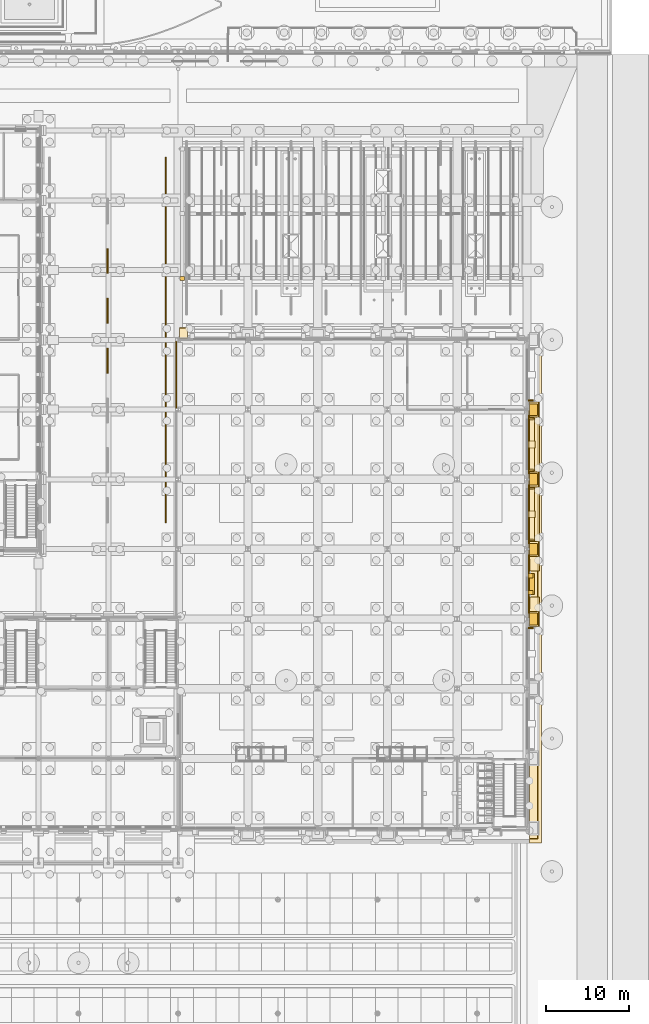
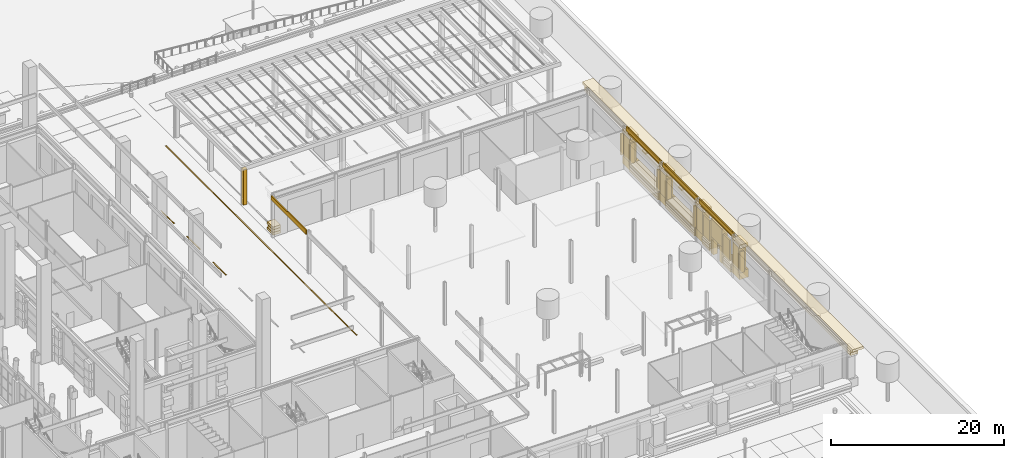
# One storey, part 167 of 222: 59 coverings.
"""IFC4 building model written with IfcOpenShell, lengths in metres."""

from ifc_helpers import new_model, si_unit, direction, frame, origin, origin_2d, place, context, subcontext, project, spatial, polyline, rectangle, outline, extrude, material, layer, layer_set, type_object, element, save


model = new_model("IFC4")

# Units and contexts
model_context = context("Model", 3, precision=1e-05, world=origin(), true_north=direction((0.0, 1.0)))
body_context = subcontext(model_context, "Body", "Model", "MODEL_VIEW")
ifc_project = project(units=[si_unit("LENGTHUNIT", "METRE"), si_unit("AREAUNIT", "SQUARE_METRE"), si_unit("VOLUMEUNIT", "CUBIC_METRE"), si_unit("PLANEANGLEUNIT", "RADIAN"), si_unit("MASSUNIT", "GRAM", prefix="KILO")], contexts=[model_context])

# Site, building, storey
site_placement = place(None, origin())
site = spatial("IfcSite", under=ifc_project, at=site_placement, CompositionType="ELEMENT")
building_placement = place(site_placement, origin())
building = spatial("IfcBuilding", under=site, at=building_placement, Name="Sava Quay Ferry Terminal", CompositionType="ELEMENT")
storey_placement = place(building_placement, origin())
storey = spatial("IfcBuildingStorey", under=building, at=storey_placement, Name="L00", CompositionType="ELEMENT", Elevation=0.0)

# Coverings
ifc_material_1 = material(Name="Steel S355", Category="steel")
ifc_layer_1 = layer(ifc_material_1, 0.5)
ifc_layer_set_1 = layer_set([ifc_layer_1], Name="Steel S355")
covering_type_1 = type_object("IfcCoveringType", Name="Apron canopy post 500", PredefinedType="CLADDING", material=ifc_layer_set_1)
covering_1_placement = place(storey_placement, origin())
element("IfcCovering", 1, at=covering_1_placement, inside=storey, type_object=covering_type_1, Name="Apron canopy post", PredefinedType="CLADDING", context=body_context, shape_type="SweptSolid", body=[
    extrude(outline(polyline([(126.75, 91.14990234375), (126.75, 91.64990234375), (126.25, 91.64990234375), (126.25, 91.14990234375), (126.75, 91.14990234375)])), origin(), (0.0, 0.0, 1.0), 5.0),
])
ifc_material_2 = material(Name="Limestone Mutalj", Category="masonry")
ifc_layer_2 = layer(ifc_material_2, 1.0)
ifc_layer_set_2 = layer_set([ifc_layer_2], Name="Limestone Mutalj")
covering_type_2 = type_object("IfcCoveringType", Name="Architrave 1000", PredefinedType="MOLDING", material=ifc_layer_set_2)
covering_2_placement = place(storey_placement, frame((168.800048828125, 54.60009765625, 4.900146484375), z_axis=(0.0, 0.0, 1.0), x_axis=(1.0, 0.0, 0.0)))
element("IfcCovering", 2, at=covering_2_placement, inside=storey, type_object=covering_type_2, Name="Architrave", PredefinedType="MOLDING", context=body_context, shape_type="SweptSolid", body=[
    extrude(rectangle(XDim=1.0, YDim=61.419921875, at=origin_2d()), origin(), (0.0, 0.0, 1.0), 0.39990234375),
])
ifc_material_3 = material(Name="Limestone Mutalj", Category="masonry")
ifc_layer_3 = layer(ifc_material_3, 1.449951171875)
ifc_layer_set_3 = layer_set([ifc_layer_3], Name="Limestone Mutalj")
covering_type_3 = type_object("IfcCoveringType", Name="Cornice 1450", PredefinedType="MOLDING", material=ifc_layer_set_3)
covering_3_placement = place(storey_placement, frame((169.02490234375, 54.60009765625, 5.64990234375), z_axis=(0.0, 0.0, 1.0), x_axis=(1.0, 0.0, 0.0)))
element("IfcCovering", 3, at=covering_3_placement, inside=storey, type_object=covering_type_3, Name="Cornice", PredefinedType="MOLDING", context=body_context, shape_type="SweptSolid", body=[
    extrude(rectangle(XDim=1.449951171875, YDim=62.320068359375, at=origin_2d()), origin(), (0.0, 0.0, 1.0), 0.35009765625),
])
ifc_material_4 = material(Name="Limestone Mutalj", Category="masonry")
ifc_layer_4 = layer(ifc_material_4, 0.949951171875)
ifc_layer_set_4 = layer_set([ifc_layer_4], Name="Limestone Mutalj")
covering_type_4 = type_object("IfcCoveringType", Name="Frieze 950", PredefinedType="MOLDING", material=ifc_layer_set_4)
covering_4_placement = place(storey_placement, frame((168.77490234375, 54.60009765625, 5.300048828125), z_axis=(0.0, 0.0, 1.0), x_axis=(1.0, 0.0, 0.0)))
element("IfcCovering", 4, at=covering_4_placement, inside=storey, type_object=covering_type_4, Name="Frieze", PredefinedType="MOLDING", context=body_context, shape_type="SweptSolid", body=[
    extrude(rectangle(XDim=0.949951171875, YDim=61.320068359375, at=origin_2d()), origin(), (0.0, 0.0, 1.0), 0.35009765625),
])
ifc_material_5 = material(Name="Red sandstone Vrsac", Category="masonry")
ifc_layer_5 = layer(ifc_material_5, 1.35009765625)
ifc_layer_set_5 = layer_set([ifc_layer_5], Name="Red sandstone Vrsac")
covering_type_5 = type_object("IfcCoveringType", Name="Giant order base course 1350", PredefinedType="MOLDING", material=ifc_layer_set_5)
covering_5_placement = place(storey_placement, frame((168.824951171875, 52.175048828125, 0.06005859375), z_axis=(0.0, 0.0, 1.0), x_axis=(1.0, 0.0, 0.0)))
element("IfcCovering", 5, at=covering_5_placement, inside=storey, type_object=covering_type_5, Name="Rusticated base course", PredefinedType="MOLDING", context=body_context, shape_type="SweptSolid", body=[
    extrude(rectangle(XDim=1.35009765625, YDim=1.75, at=origin_2d()), origin(), (0.0, 0.0, 1.0), 0.3798828125),
])
covering_6_placement = place(storey_placement, frame((168.75, 52.175048828125, 0.43994140625), z_axis=(0.0, 0.0, 1.0), x_axis=(1.0, 0.0, 0.0)))
element("IfcCovering", 6, at=covering_6_placement, inside=storey, type_object=covering_type_5, Name="Rusticated base course", PredefinedType="MOLDING", context=body_context, shape_type="SweptSolid", body=[
    extrude(rectangle(XDim=1.199951171875, YDim=1.75, at=origin_2d()), origin(), (0.0, 0.0, 1.0), 0.3798828125),
])
for number, where, z_axis, x_axis, name in (
    (7, (168.824951171875, 52.175048828125, 0.820068359375), (0.0, 0.0, 1.0), (1.0, 0.0, 0.0), "Rusticated base course"),
    (8, (168.824951171875, 57.02490234375, 0.06005859375), (0.0, 0.0, 1.0), (1.0, 0.0, 0.0), "Rusticated base course"),
):
    element("IfcCovering", number, at=place(storey_placement, frame(where, z_axis=z_axis, x_axis=x_axis)), inside=storey, type_object=covering_type_5, Name=name, PredefinedType="MOLDING", context=body_context, shape_type="SweptSolid", body=[
        extrude(rectangle(XDim=1.35009765625, YDim=1.75, at=origin_2d()), origin(), (0.0, 0.0, 1.0), 0.3798828125),
    ])
covering_7_placement = place(storey_placement, frame((168.75, 57.02490234375, 0.43994140625), z_axis=(0.0, 0.0, 1.0), x_axis=(1.0, 0.0, 0.0)))
element("IfcCovering", 9, at=covering_7_placement, inside=storey, type_object=covering_type_5, Name="Rusticated base course", PredefinedType="MOLDING", context=body_context, shape_type="SweptSolid", body=[
    extrude(rectangle(XDim=1.199951171875, YDim=1.75, at=origin_2d()), origin(), (0.0, 0.0, 1.0), 0.3798828125),
])
covering_8_placement = place(storey_placement, frame((168.824951171875, 57.02490234375, 0.820068359375), z_axis=(0.0, 0.0, 1.0), x_axis=(1.0, 0.0, 0.0)))
element("IfcCovering", 10, at=covering_8_placement, inside=storey, type_object=covering_type_5, Name="Rusticated base course", PredefinedType="MOLDING", context=body_context, shape_type="SweptSolid", body=[
    extrude(rectangle(XDim=1.35009765625, YDim=1.75, at=origin_2d()), origin(), (0.0, 0.0, 1.0), 0.3798828125),
])
covering_9_placement = place(storey_placement, frame((168.824951171875, 63.0, 0.06005859375), z_axis=(0.0, 0.0, 1.0), x_axis=(1.0, 0.0, 0.0)))
element("IfcCovering", 11, at=covering_9_placement, inside=storey, type_object=covering_type_5, Name="Rusticated base course", PredefinedType="MOLDING", context=body_context, shape_type="SweptSolid", body=[
    extrude(rectangle(XDim=1.35009765625, YDim=6.60009765625, at=origin_2d()), origin(), (0.0, 0.0, 1.0), 0.3798828125),
])
covering_10_placement = place(storey_placement, frame((168.75, 63.0, 0.43994140625), z_axis=(0.0, 0.0, 1.0), x_axis=(1.0, 0.0, 0.0)))
element("IfcCovering", 12, at=covering_10_placement, inside=storey, type_object=covering_type_5, Name="Rusticated base course", PredefinedType="MOLDING", context=body_context, shape_type="SweptSolid", body=[
    extrude(rectangle(XDim=1.199951171875, YDim=6.60009765625, at=origin_2d()), origin(), (0.0, 0.0, 1.0), 0.3798828125),
])
for number, where, z_axis, x_axis, name in (
    (13, (168.824951171875, 63.0, 0.820068359375), (0.0, 0.0, 1.0), (1.0, 0.0, 0.0), "Rusticated base course"),
    (14, (168.824951171875, 71.39990234375, 0.06005859375), (0.0, 0.0, 1.0), (1.0, 0.0, 0.0), "Rusticated base course"),
):
    element("IfcCovering", number, at=place(storey_placement, frame(where, z_axis=z_axis, x_axis=x_axis)), inside=storey, type_object=covering_type_5, Name=name, PredefinedType="MOLDING", context=body_context, shape_type="SweptSolid", body=[
        extrude(rectangle(XDim=1.35009765625, YDim=6.60009765625, at=origin_2d()), origin(), (0.0, 0.0, 1.0), 0.3798828125),
    ])
covering_11_placement = place(storey_placement, frame((168.75, 71.39990234375, 0.43994140625), z_axis=(0.0, 0.0, 1.0), x_axis=(1.0, 0.0, 0.0)))
element("IfcCovering", 15, at=covering_11_placement, inside=storey, type_object=covering_type_5, Name="Rusticated base course", PredefinedType="MOLDING", context=body_context, shape_type="SweptSolid", body=[
    extrude(rectangle(XDim=1.199951171875, YDim=6.60009765625, at=origin_2d()), origin(), (0.0, 0.0, 1.0), 0.3798828125),
])
covering_12_placement = place(storey_placement, frame((168.824951171875, 71.39990234375, 0.820068359375), z_axis=(0.0, 0.0, 1.0), x_axis=(1.0, 0.0, 0.0)))
element("IfcCovering", 16, at=covering_12_placement, inside=storey, type_object=covering_type_5, Name="Rusticated base course", PredefinedType="MOLDING", context=body_context, shape_type="SweptSolid", body=[
    extrude(rectangle(XDim=1.35009765625, YDim=6.60009765625, at=origin_2d()), origin(), (0.0, 0.0, 1.0), 0.3798828125),
])
covering_13_placement = place(storey_placement, frame((126.64990234375, 84.8349609375, 0.06005859375), z_axis=(0.0, 0.0, 1.0), x_axis=(1.0, 0.0, 0.0)))
element("IfcCovering", 17, at=covering_13_placement, inside=storey, type_object=covering_type_5, Name="Rusticated base course", PredefinedType="MOLDING", context=body_context, shape_type="SweptSolid", body=[
    extrude(rectangle(XDim=1.0, YDim=1.35009765625, at=origin_2d()), origin(), (0.0, 0.0, 1.0), 0.3798828125),
])
covering_14_placement = place(storey_placement, frame((126.64990234375, 84.760009765625, 0.43994140625), z_axis=(0.0, 0.0, 1.0), x_axis=(1.0, 0.0, 0.0)))
element("IfcCovering", 18, at=covering_14_placement, inside=storey, type_object=covering_type_5, Name="Rusticated base course", PredefinedType="MOLDING", context=body_context, shape_type="SweptSolid", body=[
    extrude(rectangle(XDim=1.0, YDim=1.199951171875, at=origin_2d()), origin(), (0.0, 0.0, 1.0), 0.3798828125),
])
covering_15_placement = place(storey_placement, frame((126.64990234375, 84.8349609375, 0.820068359375), z_axis=(0.0, 0.0, 1.0), x_axis=(1.0, 0.0, 0.0)))
element("IfcCovering", 19, at=covering_15_placement, inside=storey, type_object=covering_type_5, Name="Rusticated base course", PredefinedType="MOLDING", context=body_context, shape_type="SweptSolid", body=[
    extrude(rectangle(XDim=1.0, YDim=1.35009765625, at=origin_2d()), origin(), (0.0, 0.0, 1.0), 0.3798828125),
])
ifc_material_6 = material(Name="Limestone Mutalj", Category="masonry")
ifc_layer_6 = layer(ifc_material_6, 1.10009765625)
ifc_layer_set_6 = layer_set([ifc_layer_6], Name="Limestone Mutalj")
covering_type_6 = type_object("IfcCoveringType", Name="Giant order capital 1100", PredefinedType="MOLDING", material=ifc_layer_set_6)
for number, where, z_axis, x_axis, name in (
    (20, (168.85009765625, 50.39990234375, 4.39990234375), (0.0, 0.0, 1.0), (1.0, 0.0, 0.0), "Giant order capital"),
    (21, (168.85009765625, 58.800048828125, 4.39990234375), (0.0, 0.0, 1.0), (1.0, 0.0, 0.0), "Giant order capital"),
    (22, (168.85009765625, 67.199951171875, 4.39990234375), (0.0, 0.0, 1.0), (1.0, 0.0, 0.0), "Giant order capital"),
    (23, (168.85009765625, 75.60009765625, 4.39990234375), (0.0, 0.0, 1.0), (1.0, 0.0, 0.0), "Giant order capital"),
):
    element("IfcCovering", number, at=place(storey_placement, frame(where, z_axis=z_axis, x_axis=x_axis)), inside=storey, type_object=covering_type_6, Name=name, PredefinedType="MOLDING", context=body_context, shape_type="SweptSolid", body=[
        extrude(rectangle(XDim=1.10009765625, YDim=1.800048828125, at=origin_2d()), origin(), (0.0, 0.0, 1.0), 0.5),
    ])
ifc_material_7 = material(Name="Red sandstone Vrsac", Category="masonry")
ifc_layer_7 = layer(ifc_material_7, 1.199951171875)
ifc_layer_set_7 = layer_set([ifc_layer_7], Name="Red sandstone Vrsac")
covering_type_7 = type_object("IfcCoveringType", Name="Giant order pier block 1200", PredefinedType="MOLDING", material=ifc_layer_set_7)
for number, where, z_axis, x_axis, name in (
    (24, (168.89990234375, 50.39990234375, 0.06005859375), (0.0, 0.0, 1.0), (1.0, 0.0, 0.0), "Giant order pier block"),
    (25, (168.89990234375, 58.800048828125, 0.06005859375), (0.0, 0.0, 1.0), (1.0, 0.0, 0.0), "Giant order pier block"),
    (26, (168.89990234375, 67.199951171875, 0.06005859375), (0.0, 0.0, 1.0), (1.0, 0.0, 0.0), "Giant order pier block"),
    (27, (168.89990234375, 75.60009765625, 0.06005859375), (0.0, 0.0, 1.0), (1.0, 0.0, 0.0), "Giant order pier block"),
):
    element("IfcCovering", number, at=place(storey_placement, frame(where, z_axis=z_axis, x_axis=x_axis)), inside=storey, type_object=covering_type_7, Name=name, PredefinedType="MOLDING", context=body_context, shape_type="SweptSolid", body=[
        extrude(rectangle(XDim=1.199951171875, YDim=1.800048828125, at=origin_2d()), origin(), (0.0, 0.0, 1.0), 1.139892578125),
    ])
ifc_material_8 = material(Name="Limestone Mutalj", Category="masonry")
ifc_layer_8 = layer(ifc_material_8, 0.949951171875)
ifc_layer_set_8 = layer_set([ifc_layer_8], Name="Limestone Mutalj")
covering_type_8 = type_object("IfcCoveringType", Name="Giant order pilaster 950", PredefinedType="CLADDING", material=ifc_layer_set_8)
for number, where, z_axis, x_axis, name in (
    (28, (168.77490234375, 50.39990234375, 1.2001953125), (0.0, 0.0, 1.0), (1.0, 0.0, 0.0), "Giant order pilaster"),
    (29, (168.77490234375, 58.800048828125, 1.2001953125), (0.0, 0.0, 1.0), (1.0, 0.0, 0.0), "Giant order pilaster"),
    (30, (168.77490234375, 67.199951171875, 1.2001953125), (0.0, 0.0, 1.0), (1.0, 0.0, 0.0), "Giant order pilaster"),
    (31, (168.77490234375, 75.60009765625, 1.2001953125), (0.0, 0.0, 1.0), (1.0, 0.0, 0.0), "Giant order pilaster"),
):
    element("IfcCovering", number, at=place(storey_placement, frame(where, z_axis=z_axis, x_axis=x_axis)), inside=storey, type_object=covering_type_8, Name=name, PredefinedType="CLADDING", context=body_context, shape_type="SweptSolid", body=[
        extrude(rectangle(XDim=0.949951171875, YDim=1.39990234375, at=origin_2d()), origin(), (0.0, 0.0, 1.0), 3.199951171875),
    ])
ifc_material_9 = material(Name="Limestone Mutalj", Category="masonry")
ifc_layer_9 = layer(ifc_material_9, 0.85009765625)
ifc_layer_set_9 = layer_set([ifc_layer_9], Name="Limestone Mutalj")
covering_type_9 = type_object("IfcCoveringType", Name="Keystone 850", PredefinedType="MOLDING", material=ifc_layer_set_9)
for number, where, z_axis, x_axis, name in (
    (32, (168.574951171875, 63.0, 4.7001953125), (0.0, 0.0, 1.0), (1.0, 0.0, 0.0), "Keystone"),
    (33, (168.574951171875, 71.39990234375, 4.7001953125), (0.0, 0.0, 1.0), (1.0, 0.0, 0.0), "Keystone"),
):
    element("IfcCovering", number, at=place(storey_placement, frame(where, z_axis=z_axis, x_axis=x_axis)), inside=storey, type_object=covering_type_9, Name=name, PredefinedType="MOLDING", context=body_context, shape_type="SweptSolid", body=[
        extrude(rectangle(XDim=0.85009765625, YDim=0.800048828125, at=origin_2d()), origin(), (0.0, 0.0, 1.0), 0.199951171875),
    ])
ifc_material_10 = material(Name="Limestone Mutalj", Category="masonry")
ifc_layer_10 = layer(ifc_material_10, 0.14990234375)
ifc_layer_set_10 = layer_set([ifc_layer_10], Name="Limestone Mutalj")
covering_type_10 = type_object("IfcCoveringType", Name="Limestone string course 150", PredefinedType="CLADDING", material=ifc_layer_set_10)
covering_16_placement = place(storey_placement, frame((0.0, 0.0, 5.25)))
element("IfcCovering", 34, at=covering_16_placement, inside=storey, type_object=covering_type_10, Name="String course V-E", PredefinedType="CLADDING", context=body_context, shape_type="SweptSolid", body=[
    extrude(outline(polyline([(168.14990234375, 51.0), (168.14990234375, 58.199951171875), (168.300048828125, 58.199951171875), (168.300048828125, 51.0), (168.14990234375, 51.0)])), origin(), (0.0, 0.0, 1.0), 0.75),
])
covering_17_placement = place(storey_placement, frame((0.0, 0.0, 5.25)))
element("IfcCovering", 35, at=covering_17_placement, inside=storey, type_object=covering_type_10, Name="String course V-E", PredefinedType="CLADDING", context=body_context, shape_type="SweptSolid", body=[
    extrude(outline(polyline([(168.14990234375, 59.39990234375), (168.14990234375, 66.60009765625), (168.300048828125, 66.60009765625), (168.300048828125, 59.39990234375), (168.14990234375, 59.39990234375)])), origin(), (0.0, 0.0, 1.0), 0.75),
])
covering_18_placement = place(storey_placement, frame((0.0, 0.0, 5.25)))
element("IfcCovering", 36, at=covering_18_placement, inside=storey, type_object=covering_type_10, Name="String course V-E", PredefinedType="CLADDING", context=body_context, shape_type="SweptSolid", body=[
    extrude(outline(polyline([(168.14990234375, 67.800048828125), (168.14990234375, 75.0), (168.300048828125, 75.0), (168.300048828125, 67.800048828125), (168.14990234375, 67.800048828125)])), origin(), (0.0, 0.0, 1.0), 0.75),
])
ifc_material_11 = material(Name="Limestone Mutalj", Category="masonry")
ifc_layer_11 = layer(ifc_material_11, 0.199951171875)
ifc_layer_set_11 = layer_set([ifc_layer_11], Name="Limestone Mutalj")
covering_type_11 = type_object("IfcCoveringType", Name="Raised wall panel 200", PredefinedType="CLADDING", material=ifc_layer_set_11)
for number, where, z_axis, x_axis, name in (
    (37, (168.25, 52.324951171875, 1.5), (0.0, 0.0, 1.0), (1.0, 0.0, 0.0), "Raised wall panel"),
    (38, (168.25, 56.875, 1.5), (0.0, 0.0, 1.0), (1.0, 0.0, 0.0), "Raised wall panel"),
):
    element("IfcCovering", number, at=place(storey_placement, frame(where, z_axis=z_axis, x_axis=x_axis)), inside=storey, type_object=covering_type_11, Name=name, PredefinedType="CLADDING", context=body_context, shape_type="SweptSolid", body=[
        extrude(rectangle(XDim=0.199951171875, YDim=1.449951171875, at=origin_2d()), origin(), (0.0, 0.0, 1.0), 2.89990234375),
    ])
ifc_material_12 = material(Name="Limestone Mutalj", Category="masonry")
ifc_layer_12 = layer(ifc_material_12, 0.60009765625)
ifc_layer_set_12 = layer_set([ifc_layer_12], Name="Limestone Mutalj")
covering_type_12 = type_object("IfcCoveringType", Name="Reveal jamb 600", PredefinedType="MOLDING", material=ifc_layer_set_12)
covering_19_placement = place(storey_placement, frame((168.449951171875, 49.300048828125, 1.199951171875), z_axis=(0.0, 0.0, 1.0), x_axis=(1.0, 0.0, 0.0)))
element("IfcCovering", 39, at=covering_19_placement, inside=storey, type_object=covering_type_12, Name="Reveal jamb", PredefinedType="MOLDING", context=body_context, shape_type="SweptSolid", body=[
    extrude(rectangle(XDim=0.60009765625, YDim=0.199951171875, at=origin_2d()), origin(), (0.0, 0.0, 1.0), 3.0),
])
for number, where, z_axis, x_axis, name in (
    (40, (168.449951171875, 53.60009765625, 0.06005859375), (0.0, 0.0, 1.0), (1.0, 0.0, 0.0), "Reveal jamb"),
    (41, (168.449951171875, 55.60009765625, 0.06005859375), (0.0, 0.0, 1.0), (1.0, 0.0, 0.0), "Reveal jamb"),
):
    element("IfcCovering", number, at=place(storey_placement, frame(where, z_axis=z_axis, x_axis=x_axis)), inside=storey, type_object=covering_type_12, Name=name, PredefinedType="MOLDING", context=body_context, shape_type="SweptSolid", body=[
        extrude(rectangle(XDim=0.60009765625, YDim=0.5, at=origin_2d()), origin(), (0.0, 0.0, 1.0), 2.340087890625),
    ])
for number, where, z_axis, x_axis, name in (
    (42, (168.449951171875, 59.89990234375, 1.199951171875), (0.0, 0.0, 1.0), (1.0, 0.0, 0.0), "Reveal jamb"),
    (43, (168.449951171875, 66.10009765625, 1.199951171875), (0.0, 0.0, 1.0), (1.0, 0.0, 0.0), "Reveal jamb"),
    (44, (168.449951171875, 68.300048828125, 1.199951171875), (0.0, 0.0, 1.0), (1.0, 0.0, 0.0), "Reveal jamb"),
    (45, (168.449951171875, 74.5, 1.199951171875), (0.0, 0.0, 1.0), (1.0, 0.0, 0.0), "Reveal jamb"),
    (46, (168.449951171875, 76.699951171875, 1.199951171875), (0.0, 0.0, 1.0), (1.0, 0.0, 0.0), "Reveal jamb"),
):
    element("IfcCovering", number, at=place(storey_placement, frame(where, z_axis=z_axis, x_axis=x_axis)), inside=storey, type_object=covering_type_12, Name=name, PredefinedType="MOLDING", context=body_context, shape_type="SweptSolid", body=[
        extrude(rectangle(XDim=0.60009765625, YDim=0.199951171875, at=origin_2d()), origin(), (0.0, 0.0, 1.0), 3.0),
    ])
ifc_material_13 = material(Name="Limestone Mutalj", Category="masonry")
ifc_layer_13 = layer(ifc_material_13, 0.75)
ifc_layer_set_13 = layer_set([ifc_layer_13], Name="Limestone Mutalj")
covering_type_13 = type_object("IfcCoveringType", Name="Reveal lintel 750", PredefinedType="MOLDING", material=ifc_layer_set_13)
covering_20_placement = place(storey_placement, frame((168.52490234375, 54.60009765625, 2.39990234375), z_axis=(0.0, 0.0, 1.0), x_axis=(1.0, 0.0, 0.0)))
element("IfcCovering", 47, at=covering_20_placement, inside=storey, type_object=covering_type_13, Name="Reveal lintel", PredefinedType="MOLDING", context=body_context, shape_type="SweptSolid", body=[
    extrude(rectangle(XDim=0.75, YDim=2.5, at=origin_2d()), origin(), (0.0, 0.0, 1.0), 2.5),
])
for number, where, z_axis, x_axis, name in (
    (48, (168.52490234375, 63.0, 4.199951171875), (0.0, 0.0, 1.0), (1.0, 0.0, 0.0), "Reveal lintel"),
    (49, (168.52490234375, 71.39990234375, 4.199951171875), (0.0, 0.0, 1.0), (1.0, 0.0, 0.0), "Reveal lintel"),
):
    element("IfcCovering", number, at=place(storey_placement, frame(where, z_axis=z_axis, x_axis=x_axis)), inside=storey, type_object=covering_type_13, Name=name, PredefinedType="MOLDING", context=body_context, shape_type="SweptSolid", body=[
        extrude(rectangle(XDim=0.75, YDim=6.39990234375, at=origin_2d()), origin(), (0.0, 0.0, 1.0), 0.5),
    ])
ifc_material_14 = material(Name="Road marking paint")
ifc_layer_14 = layer(ifc_material_14, 0.02001953125)
ifc_layer_set_14 = layer_set([ifc_layer_14], Name="Road marking paint")
covering_type_14 = type_object("IfcCoveringType", Name="Road marking line 150", PredefinedType="FLOORING", material=ifc_layer_set_14)
covering_21_placement = place(storey_placement, origin())
element("IfcCovering", 50, at=covering_21_placement, inside=storey, type_object=covering_type_14, Name="Road marking line", PredefinedType="FLOORING", context=body_context, shape_type="SweptSolid", body=[
    extrude(outline(polyline([(117.574951171875, 80.0), (117.574951171875, 83.0), (117.425048828125, 83.0), (117.425048828125, 80.0), (117.574951171875, 80.0)])), origin(), (0.0, 0.0, 1.0), 0.02001953125),
])
covering_22_placement = place(storey_placement, origin())
element("IfcCovering", 51, at=covering_22_placement, inside=storey, type_object=covering_type_14, Name="Road marking line", PredefinedType="FLOORING", context=body_context, shape_type="SweptSolid", body=[
    extrude(outline(polyline([(124.425048828125, 62.0), (124.574951171875, 62.0), (124.574951171875, 106.0), (124.425048828125, 106.0), (124.425048828125, 62.0)])), origin(), (0.0, 0.0, 1.0), 0.02001953125),
])
covering_23_placement = place(storey_placement, origin())
element("IfcCovering", 52, at=covering_23_placement, inside=storey, type_object=covering_type_14, Name="Road marking line", PredefinedType="FLOORING", context=body_context, shape_type="SweptSolid", body=[
    extrude(outline(polyline([(117.574951171875, 86.0), (117.574951171875, 89.0), (117.425048828125, 89.0), (117.425048828125, 86.0), (117.574951171875, 86.0)])), origin(), (0.0, 0.0, 1.0), 0.02001953125),
])
covering_24_placement = place(storey_placement, origin())
element("IfcCovering", 53, at=covering_24_placement, inside=storey, type_object=covering_type_14, Name="Road marking line", PredefinedType="FLOORING", context=body_context, shape_type="SweptSolid", body=[
    extrude(outline(polyline([(117.425048828125, 92.0), (117.574951171875, 92.0), (117.574951171875, 95.0), (117.425048828125, 95.0), (117.425048828125, 92.0)])), origin(), (0.0, 0.0, 1.0), 0.02001953125),
])
ifc_material_15 = material(Name="Limestone Mutalj", Category="masonry")
ifc_layer_15 = layer(ifc_material_15, 0.14990234375)
ifc_layer_set_15 = layer_set([ifc_layer_15], Name="Limestone Mutalj")
covering_type_15 = type_object("IfcCoveringType", Name="Slab edge fascia 150", PredefinedType="CLADDING", material=ifc_layer_set_15)
covering_25_placement = place(storey_placement, frame((0.0, 0.0, 5.39990234375)))
element("IfcCovering", 54, at=covering_25_placement, inside=storey, type_object=covering_type_15, Name="Slab edge fascia", PredefinedType="CLADDING", context=body_context, shape_type="SweptSolid", body=[
    extrude(outline(polyline([(125.701904296875, 75.760009765625), (125.85205078125, 75.760009765625), (125.85205078125, 83.840087890625), (125.701904296875, 83.840087890625), (125.701904296875, 75.760009765625)])), origin(), (0.0, 0.0, 1.0), 0.60009765625),
])
covering_26_placement = place(storey_placement, frame((0.0, 0.0, 5.39990234375)))
element("IfcCovering", 55, at=covering_26_placement, inside=storey, type_object=covering_type_15, Name="Slab edge fascia", PredefinedType="CLADDING", context=body_context, shape_type="SweptSolid", body=[
    extrude(outline(polyline([(168.14794921875, 58.639892578125), (168.14794921875, 50.56005859375), (168.298095703125, 50.56005859375), (168.298095703125, 58.639892578125), (168.14794921875, 58.639892578125)])), origin(), (0.0, 0.0, 1.0), 0.60009765625),
])
covering_27_placement = place(storey_placement, frame((0.0, 0.0, 5.39990234375)))
element("IfcCovering", 56, at=covering_27_placement, inside=storey, type_object=covering_type_15, Name="Slab edge fascia", PredefinedType="CLADDING", context=body_context, shape_type="SweptSolid", body=[
    extrude(outline(polyline([(168.14794921875, 67.0400390625), (168.14794921875, 58.9599609375), (168.298095703125, 58.9599609375), (168.298095703125, 67.0400390625), (168.14794921875, 67.0400390625)])), origin(), (0.0, 0.0, 1.0), 0.60009765625),
])
covering_28_placement = place(storey_placement, frame((0.0, 0.0, 5.39990234375)))
element("IfcCovering", 57, at=covering_28_placement, inside=storey, type_object=covering_type_15, Name="Slab edge fascia", PredefinedType="CLADDING", context=body_context, shape_type="SweptSolid", body=[
    extrude(outline(polyline([(168.14794921875, 75.43994140625), (168.14794921875, 67.360107421875), (168.298095703125, 67.360107421875), (168.298095703125, 75.43994140625), (168.14794921875, 75.43994140625)])), origin(), (0.0, 0.0, 1.0), 0.60009765625),
])
ifc_material_16 = material(Name="Limestone Mutalj", Category="masonry")
ifc_layer_16 = layer(ifc_material_16, 0.75)
ifc_layer_set_16 = layer_set([ifc_layer_16], Name="Limestone Mutalj")
covering_type_16 = type_object("IfcCoveringType", Name="Window sill ledge 750", PredefinedType="MOLDING", material=ifc_layer_set_16)
for number, where, z_axis, x_axis, name in (
    (58, (168.52490234375, 63.0, 1.199951171875), (0.0, 0.0, 1.0), (1.0, 0.0, 0.0), "Window sill ledge"),
    (59, (168.52490234375, 71.39990234375, 1.199951171875), (0.0, 0.0, 1.0), (1.0, 0.0, 0.0), "Window sill ledge"),
):
    element("IfcCovering", number, at=place(storey_placement, frame(where, z_axis=z_axis, x_axis=x_axis)), inside=storey, type_object=covering_type_16, Name=name, PredefinedType="MOLDING", context=body_context, shape_type="SweptSolid", body=[
        extrude(rectangle(XDim=0.75, YDim=6.39990234375, at=origin_2d()), origin(), (0.0, 0.0, 1.0), 0.14990234375),
    ])

save(model, "model.ifc")
